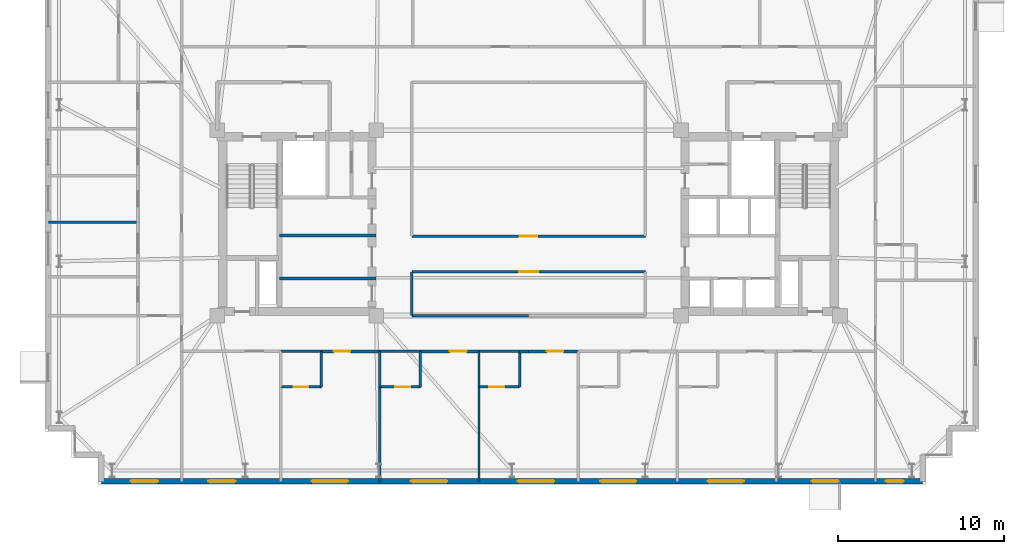
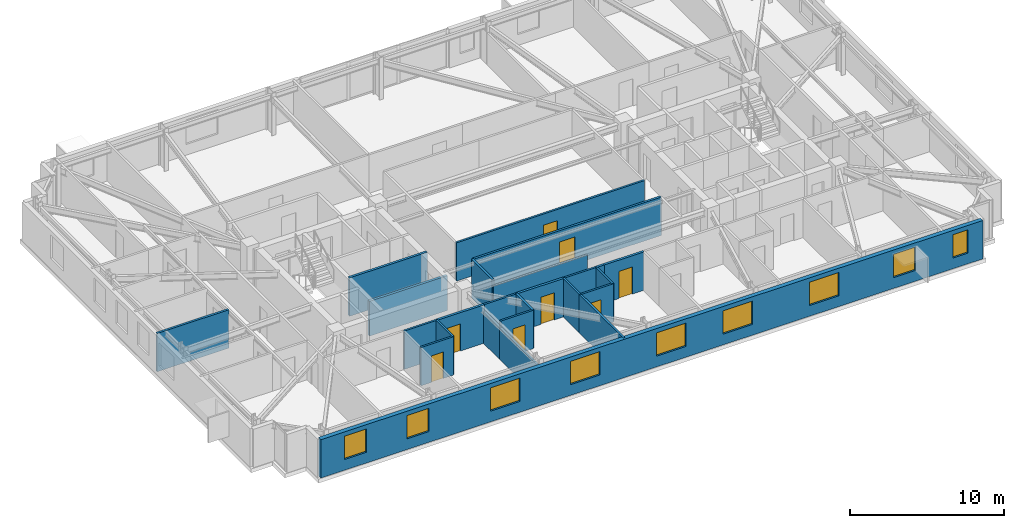
# One storey, part 12 of 18: 25 walls, 9 windows, 8 doors, 17 openings.
"""IFC4 building model written with IfcOpenShell, lengths in metres."""

import ifcopenshell
import ifcopenshell.guid

model = None  # the IFC model being written
_history = None  # IfcOwnerHistory: only IFC2X3 demands one
_inside = {}  # id of a spatial element -> (the spatial element, [elements in it])
_under = {}  # id of a project, library or spatial element -> (it, [spatial elements below it])
_declared = {}  # id of a project -> (the project, [libraries it declares])
_typed = {}  # id of a type object -> (the type object, [elements of that type])
_made_of = {}  # id of a material, layer set ... -> (it, [elements and type objects made of it])


def new_model(schema):
    """Start an empty IFC model of exactly this schema.

    Asked for "IFC4X3", IfcOpenShell would pick the latest addendum, in which some entities
    have other attributes; the version numbers below select the first issue.
    IFC2X3 requires an IfcOwnerHistory on every rooted entity: one is made here for all.
    """
    global model, _history
    if schema == "IFC4X3":
        model = ifcopenshell.file(schema_version=(4, 3, 0, 0))
    else:
        model = ifcopenshell.file(schema=schema)
    _inside.clear()
    _under.clear()
    _declared.clear()
    _typed.clear()
    _made_of.clear()
    _history = None
    if model.schema == "IFC2X3":
        org = make("IfcOrganization", Name="unknown")
        user = make(
            "IfcPersonAndOrganization",
            ThePerson=make("IfcPerson", FamilyName="unknown"),
            TheOrganization=org,
        )
        app = make(
            "IfcApplication",
            ApplicationDeveloper=org,
            Version="unknown",
            ApplicationFullName="unknown",
            ApplicationIdentifier="unknown",
        )
        _history = make(
            "IfcOwnerHistory",
            OwningUser=user,
            OwningApplication=app,
            ChangeAction="ADDED",
            CreationDate=0,
        )
    return model


def make(cls, **values):
    """One entity of the class cls with the attributes given. An attribute that is None is left unset."""
    return model.create_entity(
        cls, **{name: value for name, value in values.items() if value is not None}
    )


def rooted(cls, **values):
    """An entity with a GlobalId (a new one), such as an element, a storey or a relation."""
    return make(cls, GlobalId=ifcopenshell.guid.new(), OwnerHistory=_history, **values)


def si_unit(unit_type, name, prefix=None):
    """IfcSIUnit, for example si_unit("LENGTHUNIT", "METRE", prefix="MILLI")."""
    return make("IfcSIUnit", UnitType=unit_type, Prefix=prefix, Name=name)


def assignment(units):
    """IfcUnitAssignment: the units of a project."""
    return None if units is None else make("IfcUnitAssignment", Units=units)


def point(xyz):
    """IfcCartesianPoint."""
    return None if xyz is None else make("IfcCartesianPoint", Coordinates=xyz)


def direction(xyz):
    """IfcDirection."""
    return None if xyz is None else make("IfcDirection", DirectionRatios=xyz)


def frame(location, z_axis=None, x_axis=None):
    """IfcAxis2Placement3D, a coordinate frame: its origin and axes. An axis left out is left unset."""
    return make(
        "IfcAxis2Placement3D",
        Location=point(location),
        Axis=direction(z_axis),
        RefDirection=direction(x_axis),
    )


def frame_2d(location, x_axis=None):
    """IfcAxis2Placement2D, a coordinate frame in the plane: its origin and x axis."""
    return make(
        "IfcAxis2Placement2D", Location=point(location), RefDirection=direction(x_axis)
    )


def origin():
    """The frame at (0, 0, 0) with its axes left unset."""
    return frame((0.0, 0.0, 0.0))


def place(relative_to, where):
    """IfcLocalPlacement: puts the frame where relative to a parent placement (None: the world)."""
    return make(
        "IfcLocalPlacement", PlacementRelTo=relative_to, RelativePlacement=where
    )


def context(
    kind, dimensions, precision=None, world=None, true_north=None, identifier=None
):
    """IfcGeometricRepresentationContext, for example the 3D "Model" context."""
    return make(
        "IfcGeometricRepresentationContext",
        ContextIdentifier=identifier,
        ContextType=kind,
        CoordinateSpaceDimension=dimensions,
        Precision=precision,
        WorldCoordinateSystem=world,
        TrueNorth=true_north,
    )


def subcontext(parent, identifier, kind, view, scale=None):
    """IfcGeometricRepresentationSubContext, for example "Body" below "Model"."""
    return make(
        "IfcGeometricRepresentationSubContext",
        ContextIdentifier=identifier,
        ContextType=kind,
        ParentContext=parent,
        TargetScale=scale,
        TargetView=view,
    )


def project(units=None, contexts=None):
    """IfcProject with its units and contexts."""
    return rooted(
        "IfcProject",
        Name="project",
        RepresentationContexts=contexts,
        UnitsInContext=assignment(units),
    )


def spatial(cls, under=None, at=None, **own):
    """A site, building, storey or space (cls), placed at a placement, below another one or the project."""
    s = rooted(cls, ObjectPlacement=at, **own)
    if under is not None:
        _under.setdefault(under.id(), (under, []))[1].append(s)
    return s


def profile(cls, at=None, kind="AREA", **sizes):
    """A parametric profile (cls). Its sizes go by their IFC names, for example OverallWidth=200.0."""
    return make(cls, ProfileType=kind, Position=at, **sizes)


def rectangle(**sizes):
    """IfcRectangleProfileDef."""
    return profile("IfcRectangleProfileDef", **sizes)


def extrude(swept, where, along, depth):
    """IfcExtrudedAreaSolid: the profile swept, set in the frame where, extruded along a direction by depth."""
    return make(
        "IfcExtrudedAreaSolid",
        SweptArea=swept,
        Position=where,
        ExtrudedDirection=direction(along),
        Depth=depth,
    )


def shape(context_of_items, identifier, shape_type, items):
    """IfcShapeRepresentation: the items that make up one representation, for example the "Body"."""
    return make(
        "IfcShapeRepresentation",
        ContextOfItems=context_of_items,
        RepresentationIdentifier=identifier,
        RepresentationType=shape_type,
        Items=items,
    )


def material(Name=None, Category=None):
    """IfcMaterial."""
    return make("IfcMaterial", Name=Name, Category=Category)


def layer(
    of_material, thickness, ventilated=None, Name=None, Category=None, Priority=None
):
    """IfcMaterialLayer: one layer of a wall or slab, of a material (None: an air gap)."""
    return make(
        "IfcMaterialLayer",
        Material=of_material,
        LayerThickness=thickness,
        IsVentilated=ventilated,
        Name=Name,
        Category=Category,
        Priority=Priority,
    )


def layer_set(layers, Name=None):
    """IfcMaterialLayerSet."""
    return make("IfcMaterialLayerSet", MaterialLayers=layers, LayerSetName=Name)


def made_of(thing, what):
    """Note that an element or type object is made of a material, layer set ...; save() writes the relation."""
    if what is not None:
        _made_of.setdefault(what.id(), (what, []))[1].append(thing)
    return thing


def type_object(cls, material=None, **own):
    """A type object (cls), such as IfcWallType, which elements share."""
    return made_of(rooted(cls, **own), material)


def element(
    cls,
    number,
    at=None,
    inside=None,
    cuts=None,
    type_object=None,
    material=None,
    context=None,
    identifier="Body",
    shape_type=None,
    held_by="IfcProductDefinitionShape",
    body=None,
    shapes=None,
    **own,
):
    """One element of the class cls, such as IfcWall. Its Tag is "e" and its number.

    at: its placement. inside: the storey or other place that contains it. cuts: it is an
    opening in that element (IfcRelVoidsElement). A single representation is given by context,
    identifier, shape_type and body (its items); several are given by shapes. held_by: the class
    of the entity that holds the representations. save() writes the other relations.
    """
    e = rooted(cls, Tag="e%d" % number, ObjectPlacement=at, **own)
    if body is not None:
        shapes = [shape(context, identifier, shape_type, body)]
    if shapes is not None:
        e.Representation = make(held_by, Representations=shapes)
    if inside is not None:
        _inside.setdefault(inside.id(), (inside, []))[1].append(e)
    if cuts is not None:
        rooted(
            "IfcRelVoidsElement", RelatingBuildingElement=cuts, RelatedOpeningElement=e
        )
    if type_object is not None:
        _typed.setdefault(type_object.id(), (type_object, []))[1].append(e)
    return made_of(e, material)


def fill(opening, filler):
    """IfcRelFillsElement: the door or window that sits in an opening."""
    return rooted(
        "IfcRelFillsElement",
        RelatingOpeningElement=opening,
        RelatedBuildingElement=filler,
    )


def aggregate(whole, parts):
    """IfcRelAggregates: a whole, such as a stair, and the parts it consists of."""
    return rooted("IfcRelAggregates", RelatingObject=whole, RelatedObjects=parts)


def save(model, path):
    """Write the relations noted so far, then the file.

    IfcRelAggregates (storeys below a building ...), IfcRelContainedInSpatialStructure (elements
    in a storey), IfcRelDefinesByType, IfcRelAssociatesMaterial and IfcRelDeclares: one each for
    every whole, place, type object, material and project.
    """
    for whole, parts in _under.values():
        aggregate(whole, parts)
    for where, things in _inside.values():
        rooted(
            "IfcRelContainedInSpatialStructure",
            RelatedElements=things,
            RelatingStructure=where,
        )
    for kind, things in _typed.values():
        rooted("IfcRelDefinesByType", RelatedObjects=things, RelatingType=kind)
    for what, things in _made_of.values():
        rooted("IfcRelAssociatesMaterial", RelatedObjects=things, RelatingMaterial=what)
    for by, libraries in _declared.values():
        rooted("IfcRelDeclares", RelatingContext=by, RelatedDefinitions=libraries)
    model.write(path)


model = new_model("IFC4")

# Units and contexts
model_context = context("Model", 3, precision=1e-05, world=origin(), true_north=direction((0.0, 1.0)))
body_context = subcontext(model_context, "Body", "Model", "MODEL_VIEW")
ifc_project = project(units=[si_unit("LENGTHUNIT", "METRE"), si_unit("AREAUNIT", "SQUARE_METRE"), si_unit("VOLUMEUNIT", "CUBIC_METRE"), si_unit("PLANEANGLEUNIT", "RADIAN"), si_unit("MASSUNIT", "GRAM", prefix="KILO")], contexts=[model_context])

# Site, building, storey
site_placement = place(None, origin())
site = spatial("IfcSite", under=ifc_project, at=site_placement, CompositionType="ELEMENT")
building_placement = place(site_placement, origin())
building = spatial("IfcBuilding", under=site, at=building_placement, Name="Qobustan Lattice House", CompositionType="ELEMENT")
storey_placement = place(building_placement, frame((0.0, 0.0, 151.10009765625)))
storey = spatial("IfcBuildingStorey", under=building, at=storey_placement, Name="L42", CompositionType="ELEMENT", Elevation=151.10009765625)

# Wall, openings, windows
ifc_material_1 = material(Name="Precast concrete C40/50", Category="concrete")
ifc_layer_1 = layer(ifc_material_1, 0.320068359375)
ifc_layer_set_1 = layer_set([ifc_layer_1], Name="Precast concrete C40/50")
wall_type_1 = type_object("IfcWallType", Name="WAL-EXT-STONE-320", PredefinedType="SOLIDWALL", material=ifc_layer_set_1)
wall_1_placement = place(storey_placement, frame((23.800048828125, -15.60009765625, 0.0), z_axis=(0.0, 0.0, 1.0), x_axis=(-1.0, 0.0, 0.0)))
wall_1 = element("IfcWall", 1, at=wall_1_placement, inside=storey, type_object=wall_type_1, Name="L42 exterior limestone-clad wall 20", PredefinedType="SOLIDWALL", context=body_context, shape_type="SweptSolid", body=[
    extrude(rectangle(XDim=49.60009765625, YDim=0.320068359375, at=frame_2d((24.800048828125, 0.0))), origin(), (0.0, 0.0, 1.0), 3.039794921875),
])
opening_1_placement = place(wall_1_placement, frame((1.1298828125, 0.0, 0.85009765625)))
opening_1 = element("IfcOpeningElement", 2, at=opening_1_placement, cuts=wall_1, Name="Opening WN-04", PredefinedType="OPENING", context=body_context, shape_type="SweptSolid", body=[
    extrude(rectangle(XDim=1.10009765625, YDim=1.85009765625, at=frame_2d((0.550048828125, 0.925048828125))), frame((0.0, 0.169921875, 0.0), z_axis=(0.0, -1.0, 0.0), x_axis=(1.0, 0.0, 0.0)), (0.0, 0.0, 1.0), 0.340087890625),
])
opening_2_placement = place(wall_1_placement, frame((5.054931640625, 0.0, 0.85009765625)))
opening_2 = element("IfcOpeningElement", 3, at=opening_2_placement, cuts=wall_1, Name="Opening WN-09", PredefinedType="OPENING", context=body_context, shape_type="SweptSolid", body=[
    extrude(rectangle(XDim=1.64990234375, YDim=1.85009765625, at=frame_2d((0.824951171875, 0.925048828125))), frame((0.0, 0.169921875, 0.0), z_axis=(0.0, -1.0, 0.0), x_axis=(1.0, 0.0, 0.0)), (0.0, 0.0, 1.0), 0.340087890625),
])
opening_3_placement = place(wall_1_placement, frame((10.780029296875, 0.0, 0.85009765625)))
opening_3 = element("IfcOpeningElement", 4, at=opening_3_placement, cuts=wall_1, Name="Opening WN-03", PredefinedType="OPENING", context=body_context, shape_type="SweptSolid", body=[
    extrude(rectangle(XDim=2.199951171875, YDim=1.85009765625, at=frame_2d((1.10009765625, 0.925048828125))), frame((0.0, 0.169921875, 0.0), z_axis=(0.0, -1.0, 0.0), x_axis=(1.0, 0.0, 0.0)), (0.0, 0.0, 1.0), 0.340087890625),
])
opening_4_placement = place(wall_1_placement, frame((17.283935546875, 0.0, 0.85009765625)))
opening_4 = element("IfcOpeningElement", 5, at=opening_4_placement, cuts=wall_1, Name="Opening WN-03", PredefinedType="OPENING", context=body_context, shape_type="SweptSolid", body=[
    extrude(rectangle(XDim=2.199951171875, YDim=1.85009765625, at=frame_2d((1.10009765625, 0.925048828125))), frame((0.0, 0.169921875, 0.0), z_axis=(0.0, -1.0, 0.0), x_axis=(1.0, 0.0, 0.0)), (0.0, 0.0, 1.0), 0.340087890625),
])
opening_5_placement = place(wall_1_placement, frame((22.248046875, 0.0, 0.85009765625)))
opening_5 = element("IfcOpeningElement", 6, at=opening_5_placement, cuts=wall_1, Name="Opening WN-03", PredefinedType="OPENING", context=body_context, shape_type="SweptSolid", body=[
    extrude(rectangle(XDim=2.199951171875, YDim=1.85009765625, at=frame_2d((1.10009765625, 0.925048828125))), frame((0.0, 0.169921875, 0.0), z_axis=(0.0, -1.0, 0.0), x_axis=(1.0, 0.0, 0.0)), (0.0, 0.0, 1.0), 0.340087890625),
])
opening_6_placement = place(wall_1_placement, frame((28.699951171875, 0.0, 0.85009765625)))
opening_6 = element("IfcOpeningElement", 7, at=opening_6_placement, cuts=wall_1, Name="Opening WN-03", PredefinedType="OPENING", context=body_context, shape_type="SweptSolid", body=[
    extrude(rectangle(XDim=2.199951171875, YDim=1.85009765625, at=frame_2d((1.10009765625, 0.925048828125))), frame((0.0, 0.169921875, 0.0), z_axis=(0.0, -1.0, 0.0), x_axis=(1.0, 0.0, 0.0)), (0.0, 0.0, 1.0), 0.340087890625),
])
opening_7_placement = place(wall_1_placement, frame((34.699951171875, 0.0, 0.85009765625)))
opening_7 = element("IfcOpeningElement", 8, at=opening_7_placement, cuts=wall_1, Name="Opening WN-03", PredefinedType="OPENING", context=body_context, shape_type="SweptSolid", body=[
    extrude(rectangle(XDim=2.199951171875, YDim=1.85009765625, at=frame_2d((1.10009765625, 0.925048828125))), frame((0.0, 0.169921875, 0.0), z_axis=(0.0, -1.0, 0.0), x_axis=(1.0, 0.0, 0.0)), (0.0, 0.0, 1.0), 0.340087890625),
])
opening_8_placement = place(wall_1_placement, frame((41.492431640625, 0.0, 0.85009765625)))
opening_8 = element("IfcOpeningElement", 9, at=opening_8_placement, cuts=wall_1, Name="Opening WN-09", PredefinedType="OPENING", context=body_context, shape_type="SweptSolid", body=[
    extrude(rectangle(XDim=1.64990234375, YDim=1.85009765625, at=frame_2d((0.824951171875, 0.925048828125))), frame((0.0, 0.169921875, 0.0), z_axis=(0.0, -1.0, 0.0), x_axis=(1.0, 0.0, 0.0)), (0.0, 0.0, 1.0), 0.340087890625),
])
opening_9_placement = place(wall_1_placement, frame((46.175048828125, 0.0, 0.85009765625)))
opening_9 = element("IfcOpeningElement", 10, at=opening_9_placement, cuts=wall_1, Name="Opening WN-09", PredefinedType="OPENING", context=body_context, shape_type="SweptSolid", body=[
    extrude(rectangle(XDim=1.64990234375, YDim=1.85009765625, at=frame_2d((0.824951171875, 0.925048828125))), frame((0.0, 0.169921875, 0.0), z_axis=(0.0, -1.0, 0.0), x_axis=(1.0, 0.0, 0.0)), (0.0, 0.0, 1.0), 0.340087890625),
])
ifc_material_2 = material(Name="Double-glazed low-E aluminium window", Category="aluminium")
window_type_1 = type_object("IfcWindowType", Name="WIN-NAR-1100x1850", PartitioningType="SINGLE_PANEL", PredefinedType="WINDOW", material=ifc_material_2)
window_1_placement = place(opening_1_placement, origin())
window_1 = element("IfcWindow", 11, at=window_1_placement, inside=storey, type_object=window_type_1, Name="L42 Focus study room E1 window", OverallHeight=1.85009765625, OverallWidth=1.10009765625, PartitioningType="SINGLE_PANEL", PredefinedType="WINDOW", context=body_context, shape_type="SweptSolid", body=[
    extrude(rectangle(XDim=1.10009765625, YDim=1.85009765625, at=frame_2d((0.550048828125, 0.925048828125))), frame((0.0, 0.030029296875, 0.0), z_axis=(0.0, -1.0, 0.0), x_axis=(1.0, 0.0, 0.0)), (0.0, 0.0, 1.0), 0.06005859375),
])
fill(opening_1, window_1)
ifc_material_3 = material(Name="Double-glazed low-E aluminium window", Category="aluminium")
window_type_2 = type_object("IfcWindowType", Name="WIN-STU-1650x1850", PartitioningType="SINGLE_PANEL", PredefinedType="WINDOW", material=ifc_material_3)
window_2_placement = place(opening_2_placement, origin())
window_2 = element("IfcWindow", 12, at=window_2_placement, inside=storey, type_object=window_type_2, Name="L42 Group study room window", OverallHeight=1.85009765625, OverallWidth=1.64990234375, PartitioningType="SINGLE_PANEL", PredefinedType="WINDOW", context=body_context, shape_type="SweptSolid", body=[
    extrude(rectangle(XDim=1.64990234375, YDim=1.85009765625, at=frame_2d((0.824951171875, 0.925048828125))), frame((0.0, 0.030029296875, 0.0), z_axis=(0.0, -1.0, 0.0), x_axis=(1.0, 0.0, 0.0)), (0.0, 0.0, 1.0), 0.06005859375),
])
fill(opening_2, window_2)
window_3_placement = place(opening_8_placement, origin())
window_3 = element("IfcWindow", 13, at=window_3_placement, inside=storey, type_object=window_type_2, Name="L42 Focus study room S1 window", OverallHeight=1.85009765625, OverallWidth=1.64990234375, PartitioningType="SINGLE_PANEL", PredefinedType="WINDOW", context=body_context, shape_type="SweptSolid", body=[
    extrude(rectangle(XDim=1.64990234375, YDim=1.85009765625, at=frame_2d((0.824951171875, 0.925048828125))), frame((0.0, 0.030029296875, 0.0), z_axis=(0.0, -1.0, 0.0), x_axis=(1.0, 0.0, 0.0)), (0.0, 0.0, 1.0), 0.06005859375),
])
fill(opening_8, window_3)
window_4_placement = place(opening_9_placement, origin())
window_4 = element("IfcWindow", 14, at=window_4_placement, inside=storey, type_object=window_type_2, Name="L42 Reading study room L42WS window", OverallHeight=1.85009765625, OverallWidth=1.64990234375, PartitioningType="SINGLE_PANEL", PredefinedType="WINDOW", context=body_context, shape_type="SweptSolid", body=[
    extrude(rectangle(XDim=1.64990234375, YDim=1.85009765625, at=frame_2d((0.824951171875, 0.925048828125))), frame((0.0, 0.030029296875, 0.0), z_axis=(0.0, -1.0, 0.0), x_axis=(1.0, 0.0, 0.0)), (0.0, 0.0, 1.0), 0.06005859375),
])
fill(opening_9, window_4)
ifc_material_4 = material(Name="Double-glazed low-E aluminium window", Category="aluminium")
window_type_3 = type_object("IfcWindowType", Name="WIN-WIDE-2200x1850", PartitioningType="SINGLE_PANEL", PredefinedType="WINDOW", material=ifc_material_4)
window_5_placement = place(opening_3_placement, origin())
window_5 = element("IfcWindow", 15, at=window_5_placement, inside=storey, type_object=window_type_3, Name="L42 Kitchenette and studio apartment L42-S6 window", OverallHeight=1.85009765625, OverallWidth=2.199951171875, PartitioningType="SINGLE_PANEL", PredefinedType="WINDOW", context=body_context, shape_type="SweptSolid", body=[
    extrude(rectangle(XDim=2.199951171875, YDim=1.85009765625, at=frame_2d((1.10009765625, 0.925048828125))), frame((0.0, 0.030029296875, 0.0), z_axis=(0.0, -1.0, 0.0), x_axis=(1.0, 0.0, 0.0)), (0.0, 0.0, 1.0), 0.06005859375),
])
fill(opening_3, window_5)
window_6_placement = place(opening_4_placement, origin())
window_6 = element("IfcWindow", 16, at=window_6_placement, inside=storey, type_object=window_type_3, Name="L42 Kitchenette and studio apartment L42-S5 window", OverallHeight=1.85009765625, OverallWidth=2.199951171875, PartitioningType="SINGLE_PANEL", PredefinedType="WINDOW", context=body_context, shape_type="SweptSolid", body=[
    extrude(rectangle(XDim=2.199951171875, YDim=1.85009765625, at=frame_2d((1.10009765625, 0.925048828125))), frame((0.0, 0.030029296875, 0.0), z_axis=(0.0, -1.0, 0.0), x_axis=(1.0, 0.0, 0.0)), (0.0, 0.0, 1.0), 0.06005859375),
])
fill(opening_4, window_6)
window_7_placement = place(opening_5_placement, origin())
window_7 = element("IfcWindow", 17, at=window_7_placement, inside=storey, type_object=window_type_3, Name="L42 Kitchenette and studio apartment L42-S4 window", OverallHeight=1.85009765625, OverallWidth=2.199951171875, PartitioningType="SINGLE_PANEL", PredefinedType="WINDOW", context=body_context, shape_type="SweptSolid", body=[
    extrude(rectangle(XDim=2.199951171875, YDim=1.85009765625, at=frame_2d((1.10009765625, 0.925048828125))), frame((0.0, 0.030029296875, 0.0), z_axis=(0.0, -1.0, 0.0), x_axis=(1.0, 0.0, 0.0)), (0.0, 0.0, 1.0), 0.06005859375),
])
fill(opening_5, window_7)
window_8_placement = place(opening_6_placement, origin())
window_8 = element("IfcWindow", 18, at=window_8_placement, inside=storey, type_object=window_type_3, Name="L42 Kitchenette and studio apartment L42-S3 window", OverallHeight=1.85009765625, OverallWidth=2.199951171875, PartitioningType="SINGLE_PANEL", PredefinedType="WINDOW", context=body_context, shape_type="SweptSolid", body=[
    extrude(rectangle(XDim=2.199951171875, YDim=1.85009765625, at=frame_2d((1.10009765625, 0.925048828125))), frame((0.0, 0.030029296875, 0.0), z_axis=(0.0, -1.0, 0.0), x_axis=(1.0, 0.0, 0.0)), (0.0, 0.0, 1.0), 0.06005859375),
])
fill(opening_6, window_8)
window_9_placement = place(opening_7_placement, origin())
window_9 = element("IfcWindow", 19, at=window_9_placement, inside=storey, type_object=window_type_3, Name="L42 Kitchenette and studio apartment L42-S2 window", OverallHeight=1.85009765625, OverallWidth=2.199951171875, PartitioningType="SINGLE_PANEL", PredefinedType="WINDOW", context=body_context, shape_type="SweptSolid", body=[
    extrude(rectangle(XDim=2.199951171875, YDim=1.85009765625, at=frame_2d((1.10009765625, 0.925048828125))), frame((0.0, 0.030029296875, 0.0), z_axis=(0.0, -1.0, 0.0), x_axis=(1.0, 0.0, 0.0)), (0.0, 0.0, 1.0), 0.06005859375),
])
fill(opening_7, window_9)

# Walls
ifc_material_5 = material(Name="Gypsum fireboard acoustic partition", Category="gypsum")
ifc_layer_2 = layer(ifc_material_5, 0.179931640625)
ifc_layer_set_2 = layer_set([ifc_layer_2], Name="Gypsum fireboard acoustic partition")
wall_type_2 = type_object("IfcWallType", Name="WAL-FIRE-180", PredefinedType="PARTITIONING", material=ifc_layer_set_2)
wall_2_placement = place(storey_placement, frame((-15.050048828125, -3.35009765625, 0.0), z_axis=(0.0, 0.0, 1.0), x_axis=(1.0, 0.0, 0.0)))
element("IfcWall", 20, at=wall_2_placement, inside=storey, type_object=wall_type_2, Name="L42 interior partition 10", PredefinedType="PARTITIONING", context=body_context, shape_type="SweptSolid", body=[
    extrude(rectangle(XDim=5.85009765625, YDim=0.179931640625, at=frame_2d((2.925048828125, 0.0))), origin(), (0.0, 0.0, 1.0), 2.7548828125),
])
wall_3_placement = place(storey_placement, frame((-9.199951171875, -0.75, 0.0), z_axis=(0.0, 0.0, 1.0), x_axis=(-1.0, 0.0, 0.0)))
element("IfcWall", 21, at=wall_3_placement, inside=storey, type_object=wall_type_2, Name="L42 interior partition 11", PredefinedType="PARTITIONING", context=body_context, shape_type="SweptSolid", body=[
    extrude(rectangle(XDim=5.85009765625, YDim=0.179931640625, at=frame_2d((2.925048828125, 0.0))), origin(), (0.0, 0.0, 1.0), 3.039794921875),
])

# Wall, opening, door
wall_4_placement = place(storey_placement, frame((-8.97900390625, -7.75, 0.0), z_axis=(0.0, 0.0, 1.0), x_axis=(-1.0, 0.0, 0.0)))
wall_4 = element("IfcWall", 22, at=wall_4_placement, inside=storey, type_object=wall_type_2, Name="L42 interior partition 45", PredefinedType="PARTITIONING", context=body_context, shape_type="SweptSolid", body=[
    extrude(rectangle(XDim=3.534912109375, YDim=0.179931640625, at=frame_2d((1.767578125, 0.0))), origin(), (0.0, 0.0, 1.0), 3.039794921875),
])
opening_10_placement = place(wall_4_placement, frame((1.783203125, 0.0, 0.0)))
opening_10 = element("IfcOpeningElement", 23, at=opening_10_placement, cuts=wall_4, Name="Opening FD-02", PredefinedType="OPENING", context=body_context, shape_type="SweptSolid", body=[
    extrude(rectangle(XDim=1.0, YDim=2.14990234375, at=frame_2d((0.5, 1.074951171875))), frame((0.0, 0.099853515625, 0.0), z_axis=(0.0, -1.0, 0.0), x_axis=(1.0, 0.0, 0.0)), (0.0, 0.0, 1.0), 0.199951171875),
])
ifc_material_6 = material(Name="Persian walnut timber and steel frame door", Category="steel")
door_type_1 = type_object("IfcDoorType", Name="DOR-UNIT-FD-1000x2150", OperationType="NOTDEFINED", PredefinedType="DOOR", material=ifc_material_6)
door_1_placement = place(opening_10_placement, origin())
door_1 = element("IfcDoor", 24, at=door_1_placement, inside=storey, type_object=door_type_1, Name="L42 South-west floor corridor to Kitchenette and studio apartment L42-S2 door", OperationType="SINGLE_SWING_LEFT", OverallHeight=2.14990234375, OverallWidth=1.0, PredefinedType="DOOR", context=body_context, shape_type="SweptSolid", body=[
    extrude(rectangle(XDim=1.0, YDim=2.14990234375, at=frame_2d((0.5, 1.074951171875))), frame((0.0, 0.02490234375, 0.0), z_axis=(0.0, -1.0, 0.0), x_axis=(1.0, 0.0, 0.0)), (0.0, 0.0, 1.0), 0.050048828125),
])
fill(opening_10, door_1)

wall_5_placement = place(storey_placement, frame((-2.992919921875, -7.75, 0.0), z_axis=(0.0, 0.0, 1.0), x_axis=(-1.0, 0.0, 0.0)))
wall_5 = element("IfcWall", 25, at=wall_5_placement, inside=storey, type_object=wall_type_2, Name="L42 interior partition 47", PredefinedType="PARTITIONING", context=body_context, shape_type="SweptSolid", body=[
    extrude(rectangle(XDim=3.5361328125, YDim=0.179931640625, at=frame_2d((1.76806640625, 0.0))), origin(), (0.0, 0.0, 1.0), 3.039794921875),
])
opening_11_placement = place(wall_5_placement, frame((0.751953125, 0.0, 0.0)))
opening_11 = element("IfcOpeningElement", 26, at=opening_11_placement, cuts=wall_5, Name="Opening FD-02", PredefinedType="OPENING", context=body_context, shape_type="SweptSolid", body=[
    extrude(rectangle(XDim=1.0, YDim=2.14990234375, at=frame_2d((0.5, 1.074951171875))), frame((0.0, 0.099853515625, 0.0), z_axis=(0.0, -1.0, 0.0), x_axis=(1.0, 0.0, 0.0)), (0.0, 0.0, 1.0), 0.199951171875),
])
door_2_placement = place(opening_11_placement, origin())
door_2 = element("IfcDoor", 27, at=door_2_placement, inside=storey, type_object=door_type_1, Name="L42 South-west floor corridor to Kitchenette and studio apartment L42-S3 door", OperationType="SINGLE_SWING_RIGHT", OverallHeight=2.14990234375, OverallWidth=1.0, PredefinedType="DOOR", context=body_context, shape_type="SweptSolid", body=[
    extrude(rectangle(XDim=1.0, YDim=2.14990234375, at=frame_2d((0.5, 1.074951171875))), frame((0.0, 0.02490234375, 0.0), z_axis=(0.0, -1.0, 0.0), x_axis=(1.0, 0.0, 0.0)), (0.0, 0.0, 1.0), 0.050048828125),
])
fill(opening_11, door_2)

# Wall
wall_6_placement = place(storey_placement, frame((0.0, -7.75, 0.0), z_axis=(0.0, 0.0, 1.0), x_axis=(-1.0, 0.0, 0.0)))
element("IfcWall", 28, at=wall_6_placement, inside=storey, type_object=wall_type_2, Name="L42 interior partition 49", PredefinedType="PARTITIONING", context=body_context, shape_type="SweptSolid", body=[
    extrude(rectangle(XDim=0.54296875, YDim=0.179931640625, at=frame_2d((0.271484375, 0.0))), origin(), (0.0, 0.0, 1.0), 3.039794921875),
])

# Wall, opening, door
wall_7_placement = place(storey_placement, frame((2.992919921875, -7.75, 0.0), z_axis=(0.0, 0.0, 1.0), x_axis=(-1.0, 0.0, 0.0)))
wall_7 = element("IfcWall", 29, at=wall_7_placement, inside=storey, type_object=wall_type_2, Name="L42 interior partition 53", PredefinedType="PARTITIONING", context=body_context, shape_type="SweptSolid", body=[
    extrude(rectangle(XDim=2.992919921875, YDim=0.179931640625, at=frame_2d((1.49658203125, 0.0))), origin(), (0.0, 0.0, 1.0), 3.039794921875),
])
opening_12_placement = place(wall_7_placement, frame((0.892333984375, 0.0, 0.0)))
opening_12 = element("IfcOpeningElement", 30, at=opening_12_placement, cuts=wall_7, Name="Opening FD-02", PredefinedType="OPENING", context=body_context, shape_type="SweptSolid", body=[
    extrude(rectangle(XDim=1.0, YDim=2.14990234375, at=frame_2d((0.5, 1.074951171875))), frame((0.0, 0.099853515625, 0.0), z_axis=(0.0, -1.0, 0.0), x_axis=(1.0, 0.0, 0.0)), (0.0, 0.0, 1.0), 0.199951171875),
])
door_3_placement = place(opening_12_placement, origin())
door_3 = element("IfcDoor", 31, at=door_3_placement, inside=storey, type_object=door_type_1, Name="L42 South-east floor corridor to Kitchenette and studio apartment L42-S4 door", OperationType="SINGLE_SWING_RIGHT", OverallHeight=2.14990234375, OverallWidth=1.0, PredefinedType="DOOR", context=body_context, shape_type="SweptSolid", body=[
    extrude(rectangle(XDim=1.0, YDim=2.14990234375, at=frame_2d((0.5, 1.074951171875))), frame((0.0, 0.02490234375, 0.0), z_axis=(0.0, -1.0, 0.0), x_axis=(1.0, 0.0, 0.0)), (0.0, 0.0, 1.0), 0.050048828125),
])
fill(opening_12, door_3)

ifc_material_7 = material(Name="Acoustic twin-stud gypsum partition", Category="gypsum")
ifc_layer_3 = layer(ifc_material_7, 0.14990234375)
ifc_layer_set_3 = layer_set([ifc_layer_3], Name="Acoustic twin-stud gypsum partition")
wall_type_3 = type_object("IfcWallType", Name="WAL-PART-150", PredefinedType="PARTITIONING", material=ifc_layer_set_3)
wall_8_placement = place(storey_placement, frame((-7.050048828125, -0.800048828125, 0.0), z_axis=(0.0, 0.0, 1.0), x_axis=(1.0, 0.0, 0.0)))
wall_8 = element("IfcWall", 32, at=wall_8_placement, inside=storey, type_object=wall_type_3, Name="L42 interior partition 64", PredefinedType="PARTITIONING", context=body_context, shape_type="SweptSolid", body=[
    extrude(rectangle(XDim=14.10009765625, YDim=0.14990234375, at=frame_2d((7.050048828125, 0.0))), origin(), (0.0, 0.0, 1.0), 3.039794921875),
])
opening_13_placement = place(wall_8_placement, frame((6.52490234375, 0.0, 0.0)))
opening_13 = element("IfcOpeningElement", 33, at=opening_13_placement, cuts=wall_8, Name="Opening ID-02", PredefinedType="OPENING", context=body_context, shape_type="SweptSolid", body=[
    extrude(rectangle(XDim=1.050048828125, YDim=2.14990234375, at=frame_2d((0.52490234375, 1.074951171875))), frame((0.0, 0.0849609375, 0.0), z_axis=(0.0, -1.0, 0.0), x_axis=(1.0, 0.0, 0.0)), (0.0, 0.0, 1.0), 0.169921875),
])
ifc_material_8 = material(Name="Persian walnut timber and steel frame door", Category="steel")
door_type_2 = type_object("IfcDoorType", Name="DOR-STUDY-1050x2150", OperationType="NOTDEFINED", PredefinedType="DOOR", material=ifc_material_8)
door_4_placement = place(opening_13_placement, origin())
door_4 = element("IfcDoor", 34, at=door_4_placement, inside=storey, type_object=door_type_2, Name="L42 Central spine corridor to Central study commons door", OperationType="SINGLE_SWING_RIGHT", OverallHeight=2.14990234375, OverallWidth=1.050048828125, PredefinedType="DOOR", context=body_context, shape_type="SweptSolid", body=[
    extrude(rectangle(XDim=1.050048828125, YDim=2.14990234375, at=frame_2d((0.52490234375, 1.074951171875))), frame((0.0, 0.02490234375, 0.0), z_axis=(0.0, -1.0, 0.0), x_axis=(1.0, 0.0, 0.0)), (0.0, 0.0, 1.0), 0.050048828125),
])
fill(opening_13, door_4)

# Walls
wall_9_placement = place(storey_placement, frame((-8.97900390625, -9.89990234375, 0.0), z_axis=(0.0, 0.0, 1.0), x_axis=(0.0, -1.0, 0.0)))
element("IfcWall", 35, at=wall_9_placement, inside=storey, type_object=wall_type_3, Name="L42 interior partition 101", PredefinedType="PARTITIONING", context=body_context, shape_type="SweptSolid", body=[
    extrude(rectangle(XDim=5.7001953125, YDim=0.14990234375, at=frame_2d((2.85009765625, 0.0))), origin(), (0.0, 0.0, 1.0), 2.52490234375),
])
wall_10_placement = place(storey_placement, frame((-2.992919921875, -9.89990234375, 0.0), z_axis=(0.0, 0.0, 1.0), x_axis=(0.0, -1.0, 0.0)))
element("IfcWall", 36, at=wall_10_placement, inside=storey, type_object=wall_type_3, Name="L42 interior partition 105", PredefinedType="PARTITIONING", context=body_context, shape_type="SweptSolid", body=[
    extrude(rectangle(XDim=5.7001953125, YDim=0.14990234375, at=frame_2d((2.85009765625, 0.0))), origin(), (0.0, 0.0, 1.0), 3.039794921875),
])
ifc_material_9 = material(Name="High-mass acoustic twin-stud partition", Category="gypsum")
ifc_layer_4 = layer(ifc_material_9, 0.1650390625)
ifc_layer_set_4 = layer_set([ifc_layer_4], Name="High-mass acoustic twin-stud partition")
wall_type_4 = type_object("IfcWallType", Name="WAL-PART-165", PredefinedType="PARTITIONING", material=ifc_layer_set_4)
wall_11_placement = place(storey_placement, frame((-7.050048828125, -5.60009765625, 0.0), z_axis=(0.0, 0.0, 1.0), x_axis=(1.0, 0.0, 0.0)))
element("IfcWall", 37, at=wall_11_placement, inside=storey, type_object=wall_type_4, Name="L42 interior partition 51", PredefinedType="PARTITIONING", context=body_context, shape_type="SweptSolid", body=[
    extrude(rectangle(XDim=7.050048828125, YDim=0.1650390625, at=frame_2d((3.52490234375, 0.0))), origin(), (0.0, 0.0, 1.0), 2.52490234375),
])

# Wall, opening, door
wall_12_placement = place(storey_placement, frame((7.050048828125, -2.949951171875, 0.0), z_axis=(0.0, 0.0, 1.0), x_axis=(-1.0, 0.0, 0.0)))
wall_12 = element("IfcWall", 38, at=wall_12_placement, inside=storey, type_object=wall_type_4, Name="L42 interior partition 65", PredefinedType="PARTITIONING", context=body_context, shape_type="SweptSolid", body=[
    extrude(rectangle(XDim=14.10009765625, YDim=0.1650390625, at=frame_2d((7.050048828125, 0.0))), origin(), (0.0, 0.0, 1.0), 3.039794921875),
])
opening_14_placement = place(wall_12_placement, frame((6.47509765625, 0.0, 0.0)))
opening_14 = element("IfcOpeningElement", 39, at=opening_14_placement, cuts=wall_12, Name="Opening ID-03", PredefinedType="OPENING", context=body_context, shape_type="SweptSolid", body=[
    extrude(rectangle(XDim=1.14990234375, YDim=2.14990234375, at=frame_2d((0.574951171875, 1.074951171875))), frame((0.0, 0.092529296875, 0.0), z_axis=(0.0, -1.0, 0.0), x_axis=(1.0, 0.0, 0.0)), (0.0, 0.0, 1.0), 0.18505859375),
])
ifc_material_10 = material(Name="Persian walnut timber and steel frame door", Category="steel")
door_type_3 = type_object("IfcDoorType", Name="DOR-KITCH-1150x2150", OperationType="NOTDEFINED", PredefinedType="DOOR", material=ifc_material_10)
door_5_placement = place(opening_14_placement, origin())
door_5 = element("IfcDoor", 40, at=door_5_placement, inside=storey, type_object=door_type_3, Name="L42 Central spine corridor to Shared kitchen and tea room door", OperationType="SINGLE_SWING_LEFT", OverallHeight=2.14990234375, OverallWidth=1.14990234375, PredefinedType="DOOR", context=body_context, shape_type="SweptSolid", body=[
    extrude(rectangle(XDim=1.14990234375, YDim=2.14990234375, at=frame_2d((0.574951171875, 1.074951171875))), frame((0.0, 0.02490234375, 0.0), z_axis=(0.0, -1.0, 0.0), x_axis=(1.0, 0.0, 0.0)), (0.0, 0.0, 1.0), 0.050048828125),
])
fill(opening_14, door_5)

# Walls
wall_13_placement = place(storey_placement, frame((-7.050048828125, -2.949951171875, 0.0), z_axis=(0.0, 0.0, 1.0), x_axis=(0.0, -1.0, 0.0)))
element("IfcWall", 41, at=wall_13_placement, inside=storey, type_object=wall_type_4, Name="L42 interior partition 67", PredefinedType="PARTITIONING", context=body_context, shape_type="SweptSolid", body=[
    extrude(rectangle(XDim=2.650146484375, YDim=0.1650390625, at=frame_2d((1.3251953125, 0.0))), origin(), (0.0, 0.0, 1.0), 3.039794921875),
])
wall_14_placement = place(storey_placement, frame((-29.0, 0.0400390625, 0.0), z_axis=(0.0, 0.0, 1.0), x_axis=(1.0, 0.0, 0.0)))
element("IfcWall", 42, at=wall_14_placement, inside=storey, type_object=wall_type_4, Name="L42 interior partition 84", PredefinedType="PARTITIONING", context=body_context, shape_type="SweptSolid", body=[
    extrude(rectangle(XDim=5.39990234375, YDim=0.1650390625, at=frame_2d((2.699951171875, 0.0))), origin(), (0.0, 0.0, 1.0), 3.039794921875),
])
ifc_material_11 = material(Name="Moisture-resistant acoustic plumbing wall", Category="gypsum")
ifc_layer_5 = layer(ifc_material_11, 0.14990234375)
ifc_layer_set_5 = layer_set([ifc_layer_5], Name="Moisture-resistant acoustic plumbing wall")
wall_type_5 = type_object("IfcWallType", Name="WAL-WET-150", PredefinedType="PLUMBINGWALL", material=ifc_layer_set_5)
wall_15_placement = place(storey_placement, frame((-12.513916015625, -7.75, 0.0), z_axis=(0.0, 0.0, 1.0), x_axis=(-1.0, 0.0, 0.0)))
element("IfcWall", 43, at=wall_15_placement, inside=storey, type_object=wall_type_5, Name="L42 interior partition 46", PredefinedType="PLUMBINGWALL", context=body_context, shape_type="SweptSolid", body=[
    extrude(rectangle(XDim=2.4501953125, YDim=0.14990234375, at=frame_2d((1.22509765625, 0.0))), origin(), (0.0, 0.0, 1.0), 3.039794921875),
])
for number, where, z_axis, x_axis, name in (
    (44, (-6.529052734375, -7.75, 0.0), (0.0, 0.0, 1.0), (-1.0, 0.0, 0.0), "L42 interior partition 48"),
    (45, (-0.54296875, -7.75, 0.0), (0.0, 0.0, 1.0), (-1.0, 0.0, 0.0), "L42 interior partition 50"),
):
    element("IfcWall", number, at=place(storey_placement, frame(where, z_axis=z_axis, x_axis=x_axis)), inside=storey, type_object=wall_type_5, Name=name, PredefinedType="PLUMBINGWALL", context=body_context, shape_type="SweptSolid", body=[
        extrude(rectangle(XDim=2.449951171875, YDim=0.14990234375, at=frame_2d((1.22509765625, 0.0))), origin(), (0.0, 0.0, 1.0), 3.039794921875),
    ])

# Wall, opening, door
wall_16_placement = place(storey_placement, frame((-14.964111328125, -9.89990234375, 0.0), z_axis=(0.0, 0.0, 1.0), x_axis=(1.0, 0.0, 0.0)))
wall_16 = element("IfcWall", 46, at=wall_16_placement, inside=storey, type_object=wall_type_5, Name="L42 interior partition 99", PredefinedType="PLUMBINGWALL", context=body_context, shape_type="SweptSolid", body=[
    extrude(rectangle(XDim=2.4501953125, YDim=0.14990234375, at=frame_2d((1.22509765625, 0.0))), origin(), (0.0, 0.0, 1.0), 3.039794921875),
])
opening_15_placement = place(wall_16_placement, frame((0.77490234375, 0.0, 0.0)))
opening_15 = element("IfcOpeningElement", 47, at=opening_15_placement, cuts=wall_16, Name="Opening WD-01", PredefinedType="OPENING", context=body_context, shape_type="SweptSolid", body=[
    extrude(rectangle(XDim=0.89990234375, YDim=2.10009765625, at=frame_2d((0.449951171875, 1.050048828125))), frame((0.0, 0.0849609375, 0.0), z_axis=(0.0, -1.0, 0.0), x_axis=(1.0, 0.0, 0.0)), (0.0, 0.0, 1.0), 0.169921875),
])
ifc_material_12 = material(Name="Persian walnut timber and steel frame door", Category="steel")
door_type_4 = type_object("IfcDoorType", Name="DOR-WET-900x2100", OperationType="NOTDEFINED", PredefinedType="DOOR", material=ifc_material_12)
door_6_placement = place(opening_15_placement, origin())
door_6 = element("IfcDoor", 48, at=door_6_placement, inside=storey, type_object=door_type_4, Name="L42 Kitchenette and studio apartment L42-S2 to En-suite bathroom L42-S2 door", OperationType="SINGLE_SWING_LEFT", OverallHeight=2.10009765625, OverallWidth=0.89990234375, PredefinedType="DOOR", context=body_context, shape_type="SweptSolid", body=[
    extrude(rectangle(XDim=0.89990234375, YDim=2.10009765625, at=frame_2d((0.449951171875, 1.050048828125))), frame((0.0, 0.02490234375, 0.0), z_axis=(0.0, -1.0, 0.0), x_axis=(1.0, 0.0, 0.0)), (0.0, 0.0, 1.0), 0.050048828125),
])
fill(opening_15, door_6)

# Walls
wall_17_placement = place(storey_placement, frame((-12.513916015625, -9.89990234375, 0.0), z_axis=(0.0, 0.0, 1.0), x_axis=(0.0, 1.0, 0.0)))
element("IfcWall", 49, at=wall_17_placement, inside=storey, type_object=wall_type_5, Name="L42 interior partition 100", PredefinedType="PLUMBINGWALL", context=body_context, shape_type="SweptSolid", body=[
    extrude(rectangle(XDim=2.14990234375, YDim=0.14990234375, at=frame_2d((1.074951171875, 0.0))), origin(), (0.0, 0.0, 1.0), 3.039794921875),
])
wall_18_placement = place(storey_placement, frame((-8.97900390625, -7.75, 0.0), z_axis=(0.0, 0.0, 1.0), x_axis=(0.0, -1.0, 0.0)))
element("IfcWall", 50, at=wall_18_placement, inside=storey, type_object=wall_type_5, Name="L42 interior partition 102", PredefinedType="PLUMBINGWALL", context=body_context, shape_type="SweptSolid", body=[
    extrude(rectangle(XDim=2.14990234375, YDim=0.14990234375, at=frame_2d((1.074951171875, 0.0))), origin(), (0.0, 0.0, 1.0), 2.52490234375),
])

# Wall, opening, door
wall_19_placement = place(storey_placement, frame((-8.97900390625, -9.89990234375, 0.0), z_axis=(0.0, 0.0, 1.0), x_axis=(1.0, 0.0, 0.0)))
wall_19 = element("IfcWall", 51, at=wall_19_placement, inside=storey, type_object=wall_type_5, Name="L42 interior partition 103", PredefinedType="PLUMBINGWALL", context=body_context, shape_type="SweptSolid", body=[
    extrude(rectangle(XDim=2.449951171875, YDim=0.14990234375, at=frame_2d((1.22509765625, 0.0))), origin(), (0.0, 0.0, 1.0), 3.039794921875),
])
opening_16_placement = place(wall_19_placement, frame((0.921142578125, 0.0, 0.0)))
opening_16 = element("IfcOpeningElement", 52, at=opening_16_placement, cuts=wall_19, Name="Opening WD-01", PredefinedType="OPENING", context=body_context, shape_type="SweptSolid", body=[
    extrude(rectangle(XDim=0.89990234375, YDim=2.10009765625, at=frame_2d((0.449951171875, 1.050048828125))), frame((0.0, 0.0849609375, 0.0), z_axis=(0.0, -1.0, 0.0), x_axis=(1.0, 0.0, 0.0)), (0.0, 0.0, 1.0), 0.169921875),
])
door_7_placement = place(opening_16_placement, origin())
door_7 = element("IfcDoor", 53, at=door_7_placement, inside=storey, type_object=door_type_4, Name="L42 Kitchenette and studio apartment L42-S3 to En-suite bathroom L42-S3 door", OperationType="SINGLE_SWING_RIGHT", OverallHeight=2.10009765625, OverallWidth=0.89990234375, PredefinedType="DOOR", context=body_context, shape_type="SweptSolid", body=[
    extrude(rectangle(XDim=0.89990234375, YDim=2.10009765625, at=frame_2d((0.449951171875, 1.050048828125))), frame((0.0, 0.02490234375, 0.0), z_axis=(0.0, -1.0, 0.0), x_axis=(1.0, 0.0, 0.0)), (0.0, 0.0, 1.0), 0.050048828125),
])
fill(opening_16, door_7)

# Walls
for number, where, z_axis, x_axis, name in (
    (54, (-6.529052734375, -9.89990234375, 0.0), (0.0, 0.0, 1.0), (0.0, 1.0, 0.0), "L42 interior partition 104"),
    (55, (-2.992919921875, -7.75, 0.0), (0.0, 0.0, 1.0), (0.0, -1.0, 0.0), "L42 interior partition 106"),
):
    element("IfcWall", number, at=place(storey_placement, frame(where, z_axis=z_axis, x_axis=x_axis)), inside=storey, type_object=wall_type_5, Name=name, PredefinedType="PLUMBINGWALL", context=body_context, shape_type="SweptSolid", body=[
        extrude(rectangle(XDim=2.14990234375, YDim=0.14990234375, at=frame_2d((1.074951171875, 0.0))), origin(), (0.0, 0.0, 1.0), 3.039794921875),
    ])

# Wall, opening, door
wall_20_placement = place(storey_placement, frame((-2.992919921875, -9.89990234375, 0.0), z_axis=(0.0, 0.0, 1.0), x_axis=(1.0, 0.0, 0.0)))
wall_20 = element("IfcWall", 56, at=wall_20_placement, inside=storey, type_object=wall_type_5, Name="L42 interior partition 107", PredefinedType="PLUMBINGWALL", context=body_context, shape_type="SweptSolid", body=[
    extrude(rectangle(XDim=2.449951171875, YDim=0.14990234375, at=frame_2d((1.22509765625, 0.0))), origin(), (0.0, 0.0, 1.0), 3.039794921875),
])
opening_17_placement = place(wall_20_placement, frame((0.628662109375, 0.0, 0.0)))
opening_17 = element("IfcOpeningElement", 57, at=opening_17_placement, cuts=wall_20, Name="Opening WD-01", PredefinedType="OPENING", context=body_context, shape_type="SweptSolid", body=[
    extrude(rectangle(XDim=0.89990234375, YDim=2.10009765625, at=frame_2d((0.449951171875, 1.050048828125))), frame((0.0, 0.0849609375, 0.0), z_axis=(0.0, -1.0, 0.0), x_axis=(1.0, 0.0, 0.0)), (0.0, 0.0, 1.0), 0.169921875),
])
door_8_placement = place(opening_17_placement, origin())
door_8 = element("IfcDoor", 58, at=door_8_placement, inside=storey, type_object=door_type_4, Name="L42 Kitchenette and studio apartment L42-S4 to En-suite bathroom L42-S4 door", OperationType="SINGLE_SWING_LEFT", OverallHeight=2.10009765625, OverallWidth=0.89990234375, PredefinedType="DOOR", context=body_context, shape_type="SweptSolid", body=[
    extrude(rectangle(XDim=0.89990234375, YDim=2.10009765625, at=frame_2d((0.449951171875, 1.050048828125))), frame((0.0, 0.02490234375, 0.0), z_axis=(0.0, -1.0, 0.0), x_axis=(1.0, 0.0, 0.0)), (0.0, 0.0, 1.0), 0.050048828125),
])
fill(opening_17, door_8)

# Wall
wall_21_placement = place(storey_placement, frame((-0.54296875, -9.89990234375, 0.0), z_axis=(0.0, 0.0, 1.0), x_axis=(0.0, 1.0, 0.0)))
element("IfcWall", 59, at=wall_21_placement, inside=storey, type_object=wall_type_5, Name="L42 interior partition 108", PredefinedType="PLUMBINGWALL", context=body_context, shape_type="SweptSolid", body=[
    extrude(rectangle(XDim=2.14990234375, YDim=0.14990234375, at=frame_2d((1.074951171875, 0.0))), origin(), (0.0, 0.0, 1.0), 3.039794921875),
])

save(model, "model.ifc")
